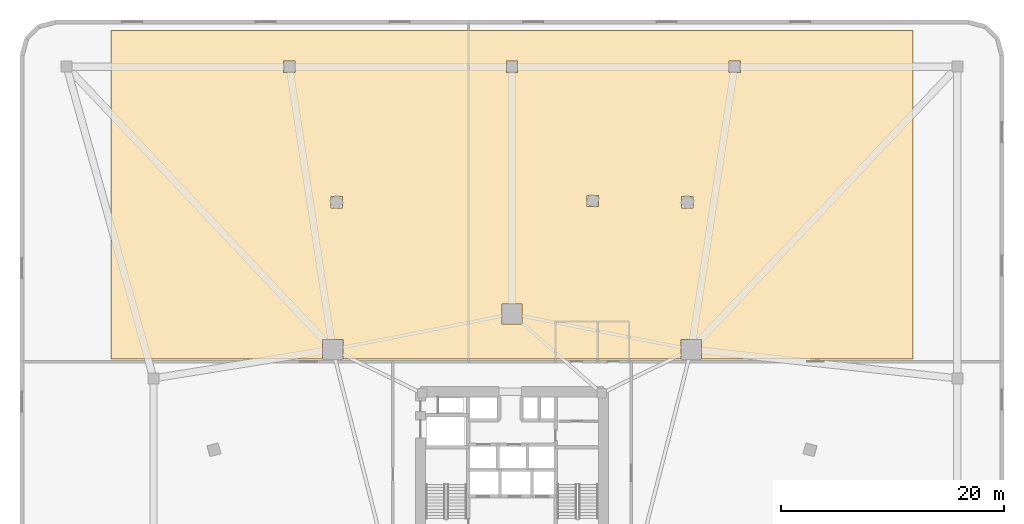
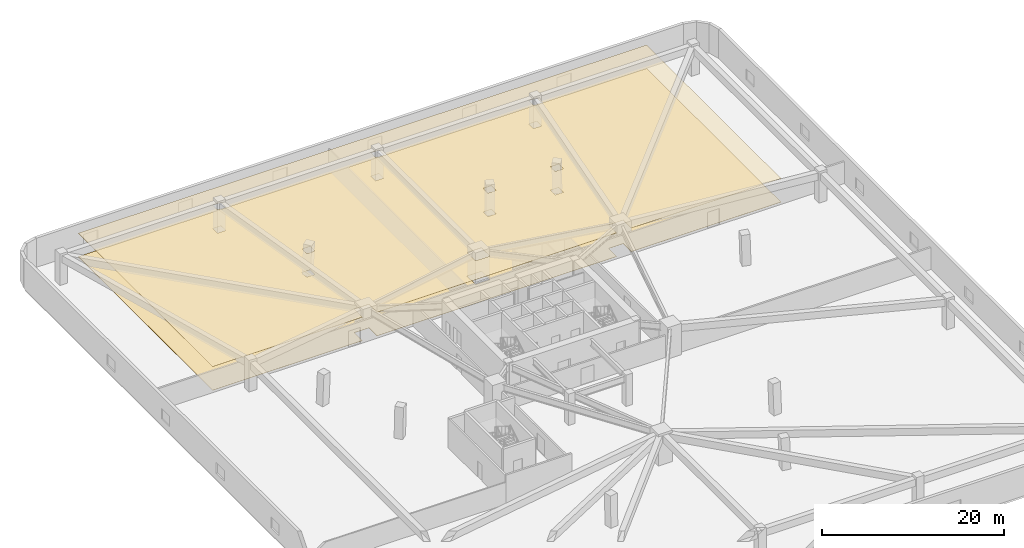
# One storey, part 10 of 10: 2 coverings.
"""IFC4 building model written with IfcOpenShell, lengths in metres."""

from ifc_helpers import new_model, si_unit, direction, frame, origin, place, context, subcontext, project, spatial, polyline, outline, extrude, material, layer, layer_set, type_object, element, save


model = new_model("IFC4")

# Units and contexts
model_context = context("Model", 3, precision=1e-05, world=origin(), true_north=direction((0.0, 1.0)))
body_context = subcontext(model_context, "Body", "Model", "MODEL_VIEW")
ifc_project = project(units=[si_unit("LENGTHUNIT", "METRE"), si_unit("AREAUNIT", "SQUARE_METRE"), si_unit("VOLUMEUNIT", "CUBIC_METRE"), si_unit("PLANEANGLEUNIT", "RADIAN"), si_unit("MASSUNIT", "GRAM", prefix="KILO")], contexts=[model_context])

# Site, building, storey
site_placement = place(None, origin())
site = spatial("IfcSite", under=ifc_project, at=site_placement, CompositionType="ELEMENT")
building_placement = place(site_placement, origin())
building = spatial("IfcBuilding", under=site, at=building_placement, Name="Talyreon Biosciences Tower", CompositionType="ELEMENT")
storey_placement = place(building_placement, frame((0.0, 0.0, 10.199951171875)))
storey = spatial("IfcBuildingStorey", under=building, at=storey_placement, Name="L02", CompositionType="ELEMENT", Elevation=10.199951171875)

# Coverings
ifc_material_1 = material(Name="Cleanable acoustic mineral-fibre ceiling tile", Category="gypsum")
ifc_layer_1 = layer(ifc_material_1, 0.0400390625)
ifc_layer_set_1 = layer_set([ifc_layer_1], Name="Cleanable acoustic mineral-fibre ceiling tile")
covering_type_1 = type_object("IfcCoveringType", Name="AcousticCleanroomCeiling_40", PredefinedType="CEILING", material=ifc_layer_set_1)
covering_1_placement = place(storey_placement, frame((0.0, 0.0, 3.14013671875)))
element("IfcCovering", 1, at=covering_1_placement, inside=storey, type_object=covering_type_1, Name="L02 Acoustic Laboratory Ceiling", PredefinedType="CEILING", context=body_context, shape_type="SweptSolid", body=[
    extrude(outline(polyline([(102.0, 77.75), (83.017333984375, 77.75), (83.017333984375, 79.513671875), (81.1875, 79.513671875), (81.1875, 77.75), (50.8125, 77.75), (50.8125, 79.513671875), (48.982666015625, 79.513671875), (48.982666015625, 77.75), (30.0, 77.75), (30.0, 107.25), (102.0, 107.25), (102.0, 77.75)]), holes=[polyline([(65.0849609375, 80.873779296875), (66.9150390625, 80.873779296875), (66.9150390625, 82.703857421875), (65.0849609375, 82.703857421875), (65.0849609375, 80.873779296875)]), polyline([(50.77392578125, 92.34716796875), (49.743896484375, 92.34716796875), (49.743896484375, 91.317138671875), (50.77392578125, 91.317138671875), (50.77392578125, 92.34716796875)]), polyline([(45.485107421875, 104.514892578125), (45.485107421875, 103.485107421875), (46.514892578125, 103.485107421875), (46.514892578125, 104.514892578125), (45.485107421875, 104.514892578125)]), polyline([(82.256103515625, 92.34716796875), (81.22607421875, 92.34716796875), (81.22607421875, 91.317138671875), (82.256103515625, 91.317138671875), (82.256103515625, 92.34716796875)]), polyline([(73.780029296875, 92.447265625), (72.75, 92.447265625), (72.75, 91.417236328125), (73.780029296875, 91.417236328125), (73.780029296875, 92.447265625)]), polyline([(85.485107421875, 104.514892578125), (85.485107421875, 103.485107421875), (86.514892578125, 103.485107421875), (86.514892578125, 104.514892578125), (85.485107421875, 104.514892578125)]), polyline([(65.485107421875, 104.514892578125), (65.485107421875, 103.485107421875), (66.514892578125, 103.485107421875), (66.514892578125, 104.514892578125), (65.485107421875, 104.514892578125)])]), origin(), (0.0, 0.0, 1.0), 0.039794921875),
])
ifc_material_2 = material(Name="Polished limestone terrazzo flooring", Category="masonry")
ifc_layer_2 = layer(ifc_material_2, 0.02490234375)
ifc_layer_set_2 = layer_set([ifc_layer_2], Name="Polished limestone terrazzo flooring")
covering_type_2 = type_object("IfcCoveringType", Name="TerrazzoPublicFlooring_25", PredefinedType="FLOORING", material=ifc_layer_set_2)
covering_2_placement = place(storey_placement, origin())
element("IfcCovering", 2, at=covering_2_placement, inside=storey, type_object=covering_type_2, Name="L02 Laboratory Floor Finish", PredefinedType="FLOORING", context=body_context, shape_type="SweptSolid", body=[
    extrude(outline(polyline([(102.0, 77.75), (83.017333984375, 77.75), (83.017333984375, 79.513671875), (81.1875, 79.513671875), (81.1875, 77.75), (50.8125, 77.75), (50.8125, 79.513671875), (48.982666015625, 79.513671875), (48.982666015625, 77.75), (30.0, 77.75), (30.0, 107.25), (102.0, 107.25), (102.0, 77.75)]), holes=[polyline([(65.0849609375, 80.873779296875), (66.9150390625, 80.873779296875), (66.9150390625, 82.703857421875), (65.0849609375, 82.703857421875), (65.0849609375, 80.873779296875)]), polyline([(50.77392578125, 92.34716796875), (49.743896484375, 92.34716796875), (49.743896484375, 91.317138671875), (50.77392578125, 91.317138671875), (50.77392578125, 92.34716796875)]), polyline([(45.485107421875, 104.514892578125), (45.485107421875, 103.485107421875), (46.514892578125, 103.485107421875), (46.514892578125, 104.514892578125), (45.485107421875, 104.514892578125)]), polyline([(82.256103515625, 92.34716796875), (81.22607421875, 92.34716796875), (81.22607421875, 91.317138671875), (82.256103515625, 91.317138671875), (82.256103515625, 92.34716796875)]), polyline([(73.780029296875, 92.447265625), (72.75, 92.447265625), (72.75, 91.417236328125), (73.780029296875, 91.417236328125), (73.780029296875, 92.447265625)]), polyline([(85.485107421875, 104.514892578125), (85.485107421875, 103.485107421875), (86.514892578125, 103.485107421875), (86.514892578125, 104.514892578125), (85.485107421875, 104.514892578125)]), polyline([(65.485107421875, 104.514892578125), (65.485107421875, 103.485107421875), (66.514892578125, 103.485107421875), (66.514892578125, 104.514892578125), (65.485107421875, 104.514892578125)])]), origin(), (0.0, 0.0, 1.0), 0.025146484375),
])

save(model, "model.ifc")
